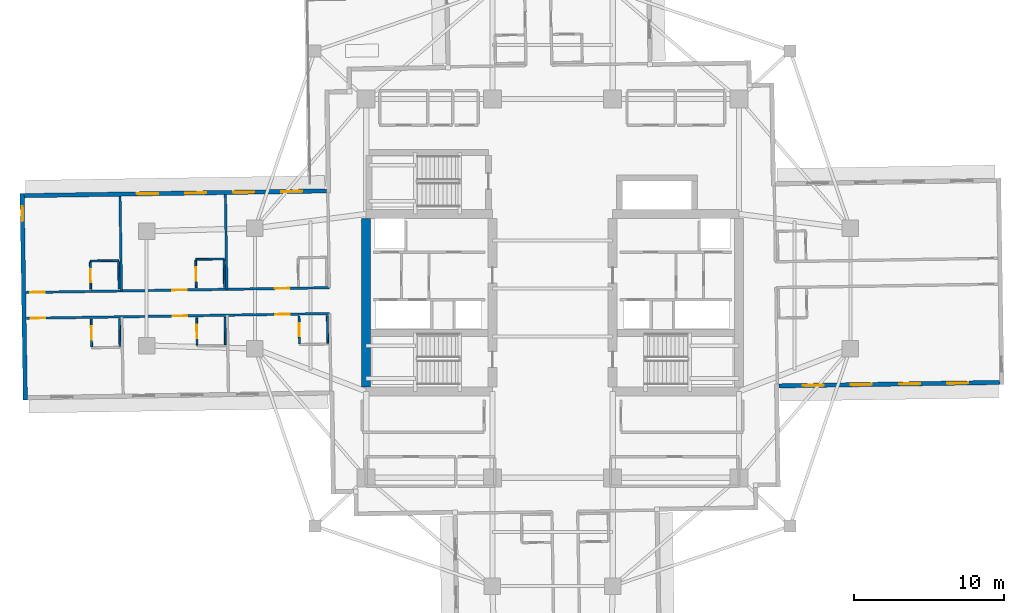
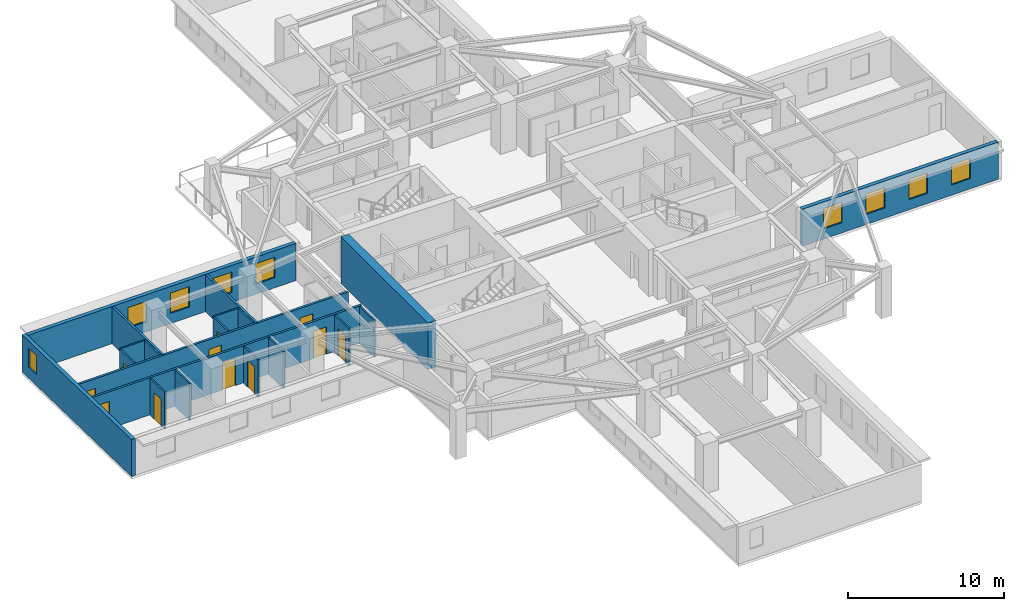
# One storey, part 4 of 13: 20 walls, 11 doors, 9 windows, 20 openings.
"""IFC4 building model written with IfcOpenShell, lengths in metres."""

from ifc_helpers import new_model, si_unit, direction, frame, frame_2d, origin, place, context, subcontext, project, spatial, rectangle, extrude, material, layer, layer_set, type_object, element, fill, save


model = new_model("IFC4")

# Units and contexts
model_context = context("Model", 3, precision=1e-05, world=origin(), true_north=direction((0.0, 1.0)))
body_context = subcontext(model_context, "Body", "Model", "MODEL_VIEW")
ifc_project = project(units=[si_unit("LENGTHUNIT", "METRE"), si_unit("AREAUNIT", "SQUARE_METRE"), si_unit("VOLUMEUNIT", "CUBIC_METRE"), si_unit("PLANEANGLEUNIT", "RADIAN"), si_unit("MASSUNIT", "GRAM", prefix="KILO")], contexts=[model_context])

# Site, building, storey
site_placement = place(None, origin())
site = spatial("IfcSite", under=ifc_project, at=site_placement, CompositionType="ELEMENT")
building_placement = place(site_placement, origin())
building = spatial("IfcBuilding", under=site, at=building_placement, Name="Qingluan Cross Belvedere", CompositionType="ELEMENT")
storey_placement = place(building_placement, frame((0.0, 0.0, 139.800048828125)))
storey = spatial("IfcBuildingStorey", under=building, at=storey_placement, Name="L35", CompositionType="ELEMENT", Elevation=139.800048828125)

# Wall
ifc_material_1 = material(Name="Concrete C60", Category="concrete")
ifc_layer_1 = layer(ifc_material_1, 0.60009765625, Name="CoreShearWall_600")
ifc_layer_set_1 = layer_set([ifc_layer_1], Name="Concrete C60")
wall_type_1 = type_object("IfcWallType", Name="CoreShearWall_600", PredefinedType="SHEAR", material=ifc_layer_set_1)
wall_1_placement = place(storey_placement, frame((-12.39990234375, -6.544921875, 0.0), z_axis=(0.0, 0.0, 1.0), x_axis=(0.0, 1.0, 0.0)))
element("IfcWall", 1, at=wall_1_placement, inside=storey, type_object=wall_type_1, Name="Split core W shear wall L35-W", PredefinedType="SHEAR", context=body_context, shape_type="SweptSolid", body=[
    extrude(rectangle(XDim=11.18994140625, YDim=0.60009765625, at=frame_2d((5.594970703125, 0.0))), origin(), (0.0, 0.0, 1.0), 3.64990234375),
])

# Wall, openings, doors
ifc_material_2 = material(Name="Gypsum plasterboard on steel stud acoustic partition", Category="steel")
ifc_layer_2 = layer(ifc_material_2, 0.159912109375, Name="CorridorPartition_160")
ifc_layer_set_2 = layer_set([ifc_layer_2], Name="Gypsum plasterboard on steel stud acoustic partition")
wall_type_2 = type_object("IfcWallType", Name="CorridorPartition_160", PredefinedType="PARTITIONING", material=ifc_layer_set_2)
wall_2_placement = place(storey_placement, frame((-14.8525390625, 0.046630859375, 0.0), z_axis=(0.0, 0.0, 1.0), x_axis=(-0.999876717676, -0.015701893165, 0.0)))
wall_2 = element("IfcWall", 2, at=wall_2_placement, inside=storey, type_object=wall_type_2, Name="Partition L35:W:c0", PredefinedType="PARTITIONING", context=body_context, shape_type="SweptSolid", body=[
    extrude(rectangle(XDim=20.181884765625, YDim=0.159912109375, at=frame_2d((10.0908203125, 0.0))), origin(), (0.0, 0.0, 1.0), 2.909912109375),
])
opening_1_placement = place(wall_2_placement, frame((2.660888671875, 0.0, 0.0)))
opening_1 = element("IfcOpeningElement", 3, at=opening_1_placement, cuts=wall_2, Name="Opening GD-10", PredefinedType="OPENING", context=body_context, shape_type="SweptSolid", body=[
    extrude(rectangle(XDim=0.9599609375, YDim=2.14990234375, at=frame_2d((0.47998046875, 1.074951171875))), frame((0.0, 0.08984375, 0.0), z_axis=(0.0, -1.0, 0.0), x_axis=(1.0, 0.0, 0.0)), (0.0, 0.0, 1.0), 0.179931640625),
])
opening_2_placement = place(wall_2_placement, frame((9.491943359375, 0.0, 0.0)))
opening_2 = element("IfcOpeningElement", 4, at=opening_2_placement, cuts=wall_2, Name="Opening GD-10", PredefinedType="OPENING", context=body_context, shape_type="SweptSolid", body=[
    extrude(rectangle(XDim=0.9599609375, YDim=2.14990234375, at=frame_2d((0.47998046875, 1.074951171875))), frame((0.0, 0.08984375, 0.0), z_axis=(0.0, -1.0, 0.0), x_axis=(1.0, 0.0, 0.0)), (0.0, 0.0, 1.0), 0.179931640625),
])
opening_3_placement = place(wall_2_placement, frame((18.929931640625, 0.0, 0.0)))
opening_3 = element("IfcOpeningElement", 5, at=opening_3_placement, cuts=wall_2, Name="Opening GD-10", PredefinedType="OPENING", context=body_context, shape_type="SweptSolid", body=[
    extrude(rectangle(XDim=0.9599609375, YDim=2.14990234375, at=frame_2d((0.47998046875, 1.074951171875))), frame((0.0, 0.08984375, 0.0), z_axis=(0.0, -1.0, 0.0), x_axis=(1.0, 0.0, 0.0)), (0.0, 0.0, 1.0), 0.179931640625),
])
ifc_material_3 = material(Name="Timber oak fire-rated acoustic guestroom door", Category="wood")
door_type_1 = type_object("IfcDoorType", Name="GuestEntryDoor_FD60", OperationType="NOTDEFINED", PredefinedType="DOOR", material=ifc_material_3)
door_1_placement = place(opening_1_placement, origin())
door_1 = element("IfcDoor", 6, at=door_1_placement, inside=storey, type_object=door_type_1, Name="Guest entry fire door 3503", OperationType="SINGLE_SWING_RIGHT", OverallHeight=2.14990234375, OverallWidth=0.9599609375, PredefinedType="DOOR", context=body_context, shape_type="SweptSolid", body=[
    extrude(rectangle(XDim=0.9599609375, YDim=2.14990234375, at=frame_2d((0.47998046875, 1.074951171875))), frame((0.0, 0.02490234375, 0.0), z_axis=(0.0, -1.0, 0.0), x_axis=(1.0, 0.0, 0.0)), (0.0, 0.0, 1.0), 0.050048828125),
])
fill(opening_1, door_1)
door_2_placement = place(opening_2_placement, origin())
door_2 = element("IfcDoor", 7, at=door_2_placement, inside=storey, type_object=door_type_1, Name="Guest entry fire door 3504", OperationType="SINGLE_SWING_RIGHT", OverallHeight=2.14990234375, OverallWidth=0.9599609375, PredefinedType="DOOR", context=body_context, shape_type="SweptSolid", body=[
    extrude(rectangle(XDim=0.9599609375, YDim=2.14990234375, at=frame_2d((0.47998046875, 1.074951171875))), frame((0.0, 0.02490234375, 0.0), z_axis=(0.0, -1.0, 0.0), x_axis=(1.0, 0.0, 0.0)), (0.0, 0.0, 1.0), 0.050048828125),
])
fill(opening_2, door_2)
door_3_placement = place(opening_3_placement, origin())
door_3 = element("IfcDoor", 8, at=door_3_placement, inside=storey, type_object=door_type_1, Name="Guest entry fire door 3505", OperationType="SINGLE_SWING_RIGHT", OverallHeight=2.14990234375, OverallWidth=0.9599609375, PredefinedType="DOOR", context=body_context, shape_type="SweptSolid", body=[
    extrude(rectangle(XDim=0.9599609375, YDim=2.14990234375, at=frame_2d((0.47998046875, 1.074951171875))), frame((0.0, 0.02490234375, 0.0), z_axis=(0.0, -1.0, 0.0), x_axis=(1.0, 0.0, 0.0)), (0.0, 0.0, 1.0), 0.050048828125),
])
fill(opening_3, door_3)

# Walls
for number, where, z_axis, x_axis, name in (
    (9, (-21.66259765625, -0.060302734375, 0.0), (0.0, 0.0, 1.0), (-0.015753409848, 0.99987590734, 0.0), "Partition L35:W:d0_0"),
    (10, (-28.6748046875, -0.17041015625, 0.0), (0.0, 0.0, 1.0), (-0.01571461794, 0.999876517768, 0.0), "Partition L35:W:d0_1"),
):
    element("IfcWall", number, at=place(storey_placement, frame(where, z_axis=z_axis, x_axis=x_axis)), inside=storey, type_object=wall_type_2, Name=name, PredefinedType="PARTITIONING", context=body_context, shape_type="SweptSolid", body=[
        extrude(rectangle(XDim=6.2919921875, YDim=0.159912109375, at=frame_2d((3.14599609375, 0.0))), origin(), (0.0, 0.0, 1.0), 2.909912109375),
    ])

# Wall, openings, doors
wall_3_placement = place(storey_placement, frame((-14.825439453125, -1.673095703125, 0.0), z_axis=(0.0, 0.0, 1.0), x_axis=(-0.999876717676, -0.015701893165, 0.0)))
wall_3 = element("IfcWall", 11, at=wall_3_placement, inside=storey, type_object=wall_type_2, Name="Partition L35:W:c1", PredefinedType="PARTITIONING", context=body_context, shape_type="SweptSolid", body=[
    extrude(rectangle(XDim=20.181884765625, YDim=0.159912109375, at=frame_2d((10.0908203125, 0.0))), origin(), (0.0, 0.0, 1.0), 2.909912109375),
])
opening_4_placement = place(wall_3_placement, frame((2.660888671875, 0.0, 0.0)))
opening_4 = element("IfcOpeningElement", 12, at=opening_4_placement, cuts=wall_3, Name="Opening GD-10", PredefinedType="OPENING", context=body_context, shape_type="SweptSolid", body=[
    extrude(rectangle(XDim=0.9599609375, YDim=2.14990234375, at=frame_2d((0.47998046875, 1.074951171875))), frame((0.0, 0.08984375, 0.0), z_axis=(0.0, -1.0, 0.0), x_axis=(1.0, 0.0, 0.0)), (0.0, 0.0, 1.0), 0.179931640625),
])
opening_5_placement = place(wall_3_placement, frame((9.491943359375, 0.0, 0.0)))
opening_5 = element("IfcOpeningElement", 13, at=opening_5_placement, cuts=wall_3, Name="Opening GD-10", PredefinedType="OPENING", context=body_context, shape_type="SweptSolid", body=[
    extrude(rectangle(XDim=0.9599609375, YDim=2.14990234375, at=frame_2d((0.47998046875, 1.074951171875))), frame((0.0, 0.08984375, 0.0), z_axis=(0.0, -1.0, 0.0), x_axis=(1.0, 0.0, 0.0)), (0.0, 0.0, 1.0), 0.179931640625),
])
opening_6_placement = place(wall_3_placement, frame((18.929931640625, 0.0, 0.0)))
opening_6 = element("IfcOpeningElement", 14, at=opening_6_placement, cuts=wall_3, Name="Opening GD-10", PredefinedType="OPENING", context=body_context, shape_type="SweptSolid", body=[
    extrude(rectangle(XDim=0.9599609375, YDim=2.14990234375, at=frame_2d((0.47998046875, 1.074951171875))), frame((0.0, 0.08984375, 0.0), z_axis=(0.0, -1.0, 0.0), x_axis=(1.0, 0.0, 0.0)), (0.0, 0.0, 1.0), 0.179931640625),
])
door_4_placement = place(opening_4_placement, origin())
door_4 = element("IfcDoor", 15, at=door_4_placement, inside=storey, type_object=door_type_1, Name="Guest entry fire door 3506", OperationType="SINGLE_SWING_RIGHT", OverallHeight=2.14990234375, OverallWidth=0.9599609375, PredefinedType="DOOR", context=body_context, shape_type="SweptSolid", body=[
    extrude(rectangle(XDim=0.9599609375, YDim=2.14990234375, at=frame_2d((0.47998046875, 1.074951171875))), frame((0.0, 0.02490234375, 0.0), z_axis=(0.0, -1.0, 0.0), x_axis=(1.0, 0.0, 0.0)), (0.0, 0.0, 1.0), 0.050048828125),
])
fill(opening_4, door_4)
door_5_placement = place(opening_5_placement, origin())
door_5 = element("IfcDoor", 16, at=door_5_placement, inside=storey, type_object=door_type_1, Name="Guest entry fire door 3507", OperationType="SINGLE_SWING_RIGHT", OverallHeight=2.14990234375, OverallWidth=0.9599609375, PredefinedType="DOOR", context=body_context, shape_type="SweptSolid", body=[
    extrude(rectangle(XDim=0.9599609375, YDim=2.14990234375, at=frame_2d((0.47998046875, 1.074951171875))), frame((0.0, 0.02490234375, 0.0), z_axis=(0.0, -1.0, 0.0), x_axis=(1.0, 0.0, 0.0)), (0.0, 0.0, 1.0), 0.050048828125),
])
fill(opening_5, door_5)
door_6_placement = place(opening_6_placement, origin())
door_6 = element("IfcDoor", 17, at=door_6_placement, inside=storey, type_object=door_type_1, Name="Guest entry fire door 3508", OperationType="SINGLE_SWING_RIGHT", OverallHeight=2.14990234375, OverallWidth=0.9599609375, PredefinedType="DOOR", context=body_context, shape_type="SweptSolid", body=[
    extrude(rectangle(XDim=0.9599609375, YDim=2.14990234375, at=frame_2d((0.47998046875, 1.074951171875))), frame((0.0, 0.02490234375, 0.0), z_axis=(0.0, -1.0, 0.0), x_axis=(1.0, 0.0, 0.0)), (0.0, 0.0, 1.0), 0.050048828125),
])
fill(opening_6, door_6)

# Wall, opening, door
ifc_material_4 = material(Name="Moisture-resistant gypsum board lining")
ifc_layer_3 = layer(ifc_material_4, 0.1201171875, Name="EnsuiteWetPartition_120")
ifc_layer_set_3 = layer_set([ifc_layer_3], Name="Moisture-resistant gypsum board lining")
wall_type_3 = type_object("IfcWallType", Name="EnsuiteWetPartition_120", PredefinedType="PARTITIONING", material=ifc_layer_set_3)
wall_4_placement = place(storey_placement, frame((-23.70458984375, 0.047607421875, 0.0), z_axis=(0.0, 0.0, 1.0), x_axis=(-0.015828443418, 0.999874722342, 0.0)))
wall_4 = element("IfcWall", 18, at=wall_4_placement, inside=storey, type_object=wall_type_3, Name="Partition L35:W:bs0_1", PredefinedType="PARTITIONING", context=body_context, shape_type="SweptSolid", body=[
    extrude(rectangle(XDim=1.820068359375, YDim=0.1201171875, at=frame_2d((0.91015625, 0.0))), origin(), (0.0, 0.0, 1.0), 2.909912109375),
])
opening_7_placement = place(wall_4_placement, frame((0.469970703125, 0.0, 0.0)))
opening_7 = element("IfcOpeningElement", 19, at=opening_7_placement, cuts=wall_4, Name="Opening BD-09", PredefinedType="OPENING", context=body_context, shape_type="SweptSolid", body=[
    extrude(rectangle(XDim=0.8798828125, YDim=2.10009765625, at=frame_2d((0.43994140625, 1.050048828125))), frame((0.0, 0.070068359375, 0.0), z_axis=(0.0, -1.0, 0.0), x_axis=(1.0, 0.0, 0.0)), (0.0, 0.0, 1.0), 0.14013671875),
])
ifc_material_5 = material(Name="Moisture-sealed timber en-suite door", Category="wood")
door_type_2 = type_object("IfcDoorType", Name="BathroomDoor_880", OperationType="NOTDEFINED", PredefinedType="DOOR", material=ifc_material_5)
door_7_placement = place(opening_7_placement, origin())
door_7 = element("IfcDoor", 20, at=door_7_placement, inside=storey, type_object=door_type_2, Name="Bathroom door 3504", OperationType="SINGLE_SWING_LEFT", OverallHeight=2.10009765625, OverallWidth=0.8798828125, PredefinedType="DOOR", context=body_context, shape_type="SweptSolid", body=[
    extrude(rectangle(XDim=0.8798828125, YDim=2.10009765625, at=frame_2d((0.43994140625, 1.050048828125))), frame((0.0, 0.02490234375, 0.0), z_axis=(0.0, -1.0, 0.0), x_axis=(1.0, 0.0, 0.0)), (0.0, 0.0, 1.0), 0.050048828125),
])
fill(opening_7, door_7)

# Walls
wall_5_placement = place(storey_placement, frame((-21.824951171875, 0.0771484375, 0.0), z_axis=(0.0, 0.0, 1.0), x_axis=(-0.015694337248, 0.999876836305, 0.0)))
element("IfcWall", 21, at=wall_5_placement, inside=storey, type_object=wall_type_3, Name="Partition L35:W:bw0_1", PredefinedType="PARTITIONING", context=body_context, shape_type="SweptSolid", body=[
    extrude(rectangle(XDim=1.820068359375, YDim=0.1201171875, at=frame_2d((0.91015625, 0.0))), origin(), (0.0, 0.0, 1.0), 2.909912109375),
])
wall_6_placement = place(storey_placement, frame((-21.8544921875, 1.9619140625, 0.0), z_axis=(0.0, 0.0, 1.0), x_axis=(-0.999876553475, -0.01571234584, 0.0)))
element("IfcWall", 22, at=wall_6_placement, inside=storey, type_object=wall_type_3, Name="Partition L35:W:bn0_1", PredefinedType="PARTITIONING", context=body_context, shape_type="SweptSolid", body=[
    extrude(rectangle(XDim=1.880126953125, YDim=0.1201171875, at=frame_2d((0.93994140625, 0.0))), origin(), (0.0, 0.0, 1.0), 2.909912109375),
])

# Wall, opening, door
wall_7_placement = place(storey_placement, frame((-30.716796875, -0.0625, 0.0), z_axis=(0.0, 0.0, 1.0), x_axis=(-0.015694337248, 0.999876836305, 0.0)))
wall_7 = element("IfcWall", 23, at=wall_7_placement, inside=storey, type_object=wall_type_3, Name="Partition L35:W:bs0_2", PredefinedType="PARTITIONING", context=body_context, shape_type="SweptSolid", body=[
    extrude(rectangle(XDim=1.820068359375, YDim=0.1201171875, at=frame_2d((0.91015625, 0.0))), origin(), (0.0, 0.0, 1.0), 2.909912109375),
])
opening_8_placement = place(wall_7_placement, frame((0.469970703125, 0.0, 0.0)))
opening_8 = element("IfcOpeningElement", 24, at=opening_8_placement, cuts=wall_7, Name="Opening BD-09", PredefinedType="OPENING", context=body_context, shape_type="SweptSolid", body=[
    extrude(rectangle(XDim=0.8798828125, YDim=2.10009765625, at=frame_2d((0.43994140625, 1.050048828125))), frame((0.0, 0.070068359375, 0.0), z_axis=(0.0, -1.0, 0.0), x_axis=(1.0, 0.0, 0.0)), (0.0, 0.0, 1.0), 0.14013671875),
])
door_8_placement = place(opening_8_placement, origin())
door_8 = element("IfcDoor", 25, at=door_8_placement, inside=storey, type_object=door_type_2, Name="Bathroom door 3505", OperationType="SINGLE_SWING_LEFT", OverallHeight=2.10009765625, OverallWidth=0.8798828125, PredefinedType="DOOR", context=body_context, shape_type="SweptSolid", body=[
    extrude(rectangle(XDim=0.8798828125, YDim=2.10009765625, at=frame_2d((0.43994140625, 1.050048828125))), frame((0.0, 0.02490234375, 0.0), z_axis=(0.0, -1.0, 0.0), x_axis=(1.0, 0.0, 0.0)), (0.0, 0.0, 1.0), 0.050048828125),
])
fill(opening_8, door_8)

# Walls
wall_8_placement = place(storey_placement, frame((-28.8369140625, -0.032958984375, 0.0), z_axis=(0.0, 0.0, 1.0), x_axis=(-0.015694337248, 0.999876836305, 0.0)))
element("IfcWall", 26, at=wall_8_placement, inside=storey, type_object=wall_type_3, Name="Partition L35:W:bw0_2", PredefinedType="PARTITIONING", context=body_context, shape_type="SweptSolid", body=[
    extrude(rectangle(XDim=1.820068359375, YDim=0.1201171875, at=frame_2d((0.91015625, 0.0))), origin(), (0.0, 0.0, 1.0), 2.909912109375),
])
wall_9_placement = place(storey_placement, frame((-28.86669921875, 1.851806640625, 0.0), z_axis=(0.0, 0.0, 1.0), x_axis=(-0.99987652141, -0.015714386166, 0.0)))
element("IfcWall", 27, at=wall_9_placement, inside=storey, type_object=wall_type_3, Name="Partition L35:W:bn0_2", PredefinedType="PARTITIONING", context=body_context, shape_type="SweptSolid", body=[
    extrude(rectangle(XDim=1.8798828125, YDim=0.1201171875, at=frame_2d((0.93994140625, 0.0))), origin(), (0.0, 0.0, 1.0), 2.909912109375),
])

# Wall, opening, door
wall_10_placement = place(storey_placement, frame((-16.83447265625, -3.664794921875, 0.0), z_axis=(0.0, 0.0, 1.0), x_axis=(-0.015696442504, 0.999876803258, 0.0)))
wall_10 = element("IfcWall", 28, at=wall_10_placement, inside=storey, type_object=wall_type_3, Name="Partition L35:W:bs1_0", PredefinedType="PARTITIONING", context=body_context, shape_type="SweptSolid", body=[
    extrude(rectangle(XDim=1.81982421875, YDim=0.1201171875, at=frame_2d((0.909912109375, 0.0))), origin(), (0.0, 0.0, 1.0), 2.909912109375),
])
opening_9_placement = place(wall_10_placement, frame((0.469970703125, 0.0, 0.0)))
opening_9 = element("IfcOpeningElement", 29, at=opening_9_placement, cuts=wall_10, Name="Opening BD-09", PredefinedType="OPENING", context=body_context, shape_type="SweptSolid", body=[
    extrude(rectangle(XDim=0.8798828125, YDim=2.10009765625, at=frame_2d((0.43994140625, 1.050048828125))), frame((0.0, 0.070068359375, 0.0), z_axis=(0.0, -1.0, 0.0), x_axis=(1.0, 0.0, 0.0)), (0.0, 0.0, 1.0), 0.14013671875),
])
door_9_placement = place(opening_9_placement, origin())
door_9 = element("IfcDoor", 30, at=door_9_placement, inside=storey, type_object=door_type_2, Name="Bathroom door 3506", OperationType="SINGLE_SWING_LEFT", OverallHeight=2.10009765625, OverallWidth=0.8798828125, PredefinedType="DOOR", context=body_context, shape_type="SweptSolid", body=[
    extrude(rectangle(XDim=0.8798828125, YDim=2.10009765625, at=frame_2d((0.43994140625, 1.050048828125))), frame((0.0, 0.02490234375, 0.0), z_axis=(0.0, -1.0, 0.0), x_axis=(1.0, 0.0, 0.0)), (0.0, 0.0, 1.0), 0.050048828125),
])
fill(opening_9, door_9)

# Wall
wall_11_placement = place(storey_placement, frame((-14.95458984375, -3.63525390625, 0.0), z_axis=(0.0, 0.0, 1.0), x_axis=(-0.015830566654, 0.999874688728, 0.0)))
element("IfcWall", 31, at=wall_11_placement, inside=storey, type_object=wall_type_3, Name="Partition L35:W:bw1_0", PredefinedType="PARTITIONING", context=body_context, shape_type="SweptSolid", body=[
    extrude(rectangle(XDim=1.81982421875, YDim=0.1201171875, at=frame_2d((0.909912109375, 0.0))), origin(), (0.0, 0.0, 1.0), 2.909912109375),
])

# Wall, opening, door
wall_12_placement = place(storey_placement, frame((-23.644775390625, -3.77197265625, 0.0), z_axis=(0.0, 0.0, 1.0), x_axis=(-0.015694337248, 0.999876836305, 0.0)))
wall_12 = element("IfcWall", 32, at=wall_12_placement, inside=storey, type_object=wall_type_3, Name="Partition L35:W:bs1_1", PredefinedType="PARTITIONING", context=body_context, shape_type="SweptSolid", body=[
    extrude(rectangle(XDim=1.820068359375, YDim=0.1201171875, at=frame_2d((0.91015625, 0.0))), origin(), (0.0, 0.0, 1.0), 2.909912109375),
])
opening_10_placement = place(wall_12_placement, frame((0.469970703125, 0.0, 0.0)))
opening_10 = element("IfcOpeningElement", 33, at=opening_10_placement, cuts=wall_12, Name="Opening BD-09", PredefinedType="OPENING", context=body_context, shape_type="SweptSolid", body=[
    extrude(rectangle(XDim=0.8798828125, YDim=2.10009765625, at=frame_2d((0.43994140625, 1.050048828125))), frame((0.0, 0.070068359375, 0.0), z_axis=(0.0, -1.0, 0.0), x_axis=(1.0, 0.0, 0.0)), (0.0, 0.0, 1.0), 0.14013671875),
])
door_10_placement = place(opening_10_placement, origin())
door_10 = element("IfcDoor", 34, at=door_10_placement, inside=storey, type_object=door_type_2, Name="Bathroom door 3507", OperationType="SINGLE_SWING_LEFT", OverallHeight=2.10009765625, OverallWidth=0.8798828125, PredefinedType="DOOR", context=body_context, shape_type="SweptSolid", body=[
    extrude(rectangle(XDim=0.8798828125, YDim=2.10009765625, at=frame_2d((0.43994140625, 1.050048828125))), frame((0.0, 0.02490234375, 0.0), z_axis=(0.0, -1.0, 0.0), x_axis=(1.0, 0.0, 0.0)), (0.0, 0.0, 1.0), 0.050048828125),
])
fill(opening_10, door_10)

# Wall
wall_13_placement = place(storey_placement, frame((-21.764892578125, -3.7421875, 0.0), z_axis=(0.0, 0.0, 1.0), x_axis=(-0.015696442504, 0.999876803258, 0.0)))
element("IfcWall", 35, at=wall_13_placement, inside=storey, type_object=wall_type_3, Name="Partition L35:W:bw1_1", PredefinedType="PARTITIONING", context=body_context, shape_type="SweptSolid", body=[
    extrude(rectangle(XDim=1.81982421875, YDim=0.1201171875, at=frame_2d((0.909912109375, 0.0))), origin(), (0.0, 0.0, 1.0), 2.909912109375),
])

# Wall, opening, door
wall_14_placement = place(storey_placement, frame((-30.65673828125, -3.882080078125, 0.0), z_axis=(0.0, 0.0, 1.0), x_axis=(-0.015694337248, 0.999876836305, 0.0)))
wall_14 = element("IfcWall", 36, at=wall_14_placement, inside=storey, type_object=wall_type_3, Name="Partition L35:W:bs1_2", PredefinedType="PARTITIONING", context=body_context, shape_type="SweptSolid", body=[
    extrude(rectangle(XDim=1.820068359375, YDim=0.1201171875, at=frame_2d((0.91015625, 0.0))), origin(), (0.0, 0.0, 1.0), 2.909912109375),
])
opening_11_placement = place(wall_14_placement, frame((0.469970703125, 0.0, 0.0)))
opening_11 = element("IfcOpeningElement", 37, at=opening_11_placement, cuts=wall_14, Name="Opening BD-09", PredefinedType="OPENING", context=body_context, shape_type="SweptSolid", body=[
    extrude(rectangle(XDim=0.8798828125, YDim=2.10009765625, at=frame_2d((0.43994140625, 1.050048828125))), frame((0.0, 0.070068359375, 0.0), z_axis=(0.0, -1.0, 0.0), x_axis=(1.0, 0.0, 0.0)), (0.0, 0.0, 1.0), 0.14013671875),
])
door_11_placement = place(opening_11_placement, origin())
door_11 = element("IfcDoor", 38, at=door_11_placement, inside=storey, type_object=door_type_2, Name="Bathroom door 3508", OperationType="SINGLE_SWING_LEFT", OverallHeight=2.10009765625, OverallWidth=0.8798828125, PredefinedType="DOOR", context=body_context, shape_type="SweptSolid", body=[
    extrude(rectangle(XDim=0.8798828125, YDim=2.10009765625, at=frame_2d((0.43994140625, 1.050048828125))), frame((0.0, 0.02490234375, 0.0), z_axis=(0.0, -1.0, 0.0), x_axis=(1.0, 0.0, 0.0)), (0.0, 0.0, 1.0), 0.050048828125),
])
fill(opening_11, door_11)

# Wall
wall_15_placement = place(storey_placement, frame((-28.777099609375, -3.8525390625, 0.0), z_axis=(0.0, 0.0, 1.0), x_axis=(-0.015694337248, 0.999876836305, 0.0)))
element("IfcWall", 39, at=wall_15_placement, inside=storey, type_object=wall_type_3, Name="Partition L35:W:bw1_2", PredefinedType="PARTITIONING", context=body_context, shape_type="SweptSolid", body=[
    extrude(rectangle(XDim=1.820068359375, YDim=0.1201171875, at=frame_2d((0.91015625, 0.0))), origin(), (0.0, 0.0, 1.0), 2.909912109375),
])

# Wall, openings, windows
ifc_material_6 = material(Name="Precast concrete C45", Category="concrete")
ifc_layer_4 = layer(ifc_material_6, 0.280029296875, Name="PrecastFacadeWall_280")
ifc_layer_set_4 = layer_set([ifc_layer_4], Name="Precast concrete C45")
wall_type_4 = type_object("IfcWallType", Name="PrecastFacadeWall_280", PredefinedType="STANDARD", material=ifc_layer_set_4)
wall_16_placement = place(storey_placement, frame((15.043701171875, -6.484619140625, 0.0), z_axis=(0.0, 0.0, 1.0), x_axis=(0.999876569875, 0.015711302158, 0.0)))
wall_16 = element("IfcWall", 40, at=wall_16_placement, inside=storey, type_object=wall_type_4, Name="Facade wall L35-EA", PredefinedType="STANDARD", context=body_context, shape_type="SweptSolid", body=[
    extrude(rectangle(XDim=14.699951171875, YDim=0.280029296875, at=frame_2d((7.35009765625, 0.0))), origin(), (0.0, 0.0, 1.0), 2.919921875),
])
opening_12_placement = place(wall_16_placement, frame((1.60009765625, 0.0, 0.800048828125)))
opening_12 = element("IfcOpeningElement", 41, at=opening_12_placement, cuts=wall_16, Name="Opening W-01", PredefinedType="OPENING", context=body_context, shape_type="SweptSolid", body=[
    extrude(rectangle(XDim=1.39990234375, YDim=1.60009765625, at=frame_2d((0.699951171875, 0.800048828125))), frame((0.0, 0.14990234375, 0.0), z_axis=(0.0, -1.0, 0.0), x_axis=(1.0, 0.0, 0.0)), (0.0, 0.0, 1.0), 0.300048828125),
])
opening_13_placement = place(wall_16_placement, frame((4.800048828125, 0.0, 0.800048828125)))
opening_13 = element("IfcOpeningElement", 42, at=opening_13_placement, cuts=wall_16, Name="Opening W-01", PredefinedType="OPENING", context=body_context, shape_type="SweptSolid", body=[
    extrude(rectangle(XDim=1.39990234375, YDim=1.60009765625, at=frame_2d((0.699951171875, 0.800048828125))), frame((0.0, 0.14990234375, 0.0), z_axis=(0.0, -1.0, 0.0), x_axis=(1.0, 0.0, 0.0)), (0.0, 0.0, 1.0), 0.300048828125),
])
opening_14_placement = place(wall_16_placement, frame((8.0, 0.0, 0.800048828125)))
opening_14 = element("IfcOpeningElement", 43, at=opening_14_placement, cuts=wall_16, Name="Opening W-01", PredefinedType="OPENING", context=body_context, shape_type="SweptSolid", body=[
    extrude(rectangle(XDim=1.39990234375, YDim=1.60009765625, at=frame_2d((0.699951171875, 0.800048828125))), frame((0.0, 0.14990234375, 0.0), z_axis=(0.0, -1.0, 0.0), x_axis=(1.0, 0.0, 0.0)), (0.0, 0.0, 1.0), 0.300048828125),
])
opening_15_placement = place(wall_16_placement, frame((11.199951171875, 0.0, 0.800048828125)))
opening_15 = element("IfcOpeningElement", 44, at=opening_15_placement, cuts=wall_16, Name="Opening W-01", PredefinedType="OPENING", context=body_context, shape_type="SweptSolid", body=[
    extrude(rectangle(XDim=1.39990234375, YDim=1.60009765625, at=frame_2d((0.699951171875, 0.800048828125))), frame((0.0, 0.14990234375, 0.0), z_axis=(0.0, -1.0, 0.0), x_axis=(1.0, 0.0, 0.0)), (0.0, 0.0, 1.0), 0.300048828125),
])
ifc_material_7 = material(Name="Thermally broken triple Low-E glass in aluminium frame", Category="aluminium")
window_type_1 = type_object("IfcWindowType", Name="TriRibbonWin_1400x1600", PartitioningType="SINGLE_PANEL", PredefinedType="WINDOW", material=ifc_material_7)
window_1_placement = place(opening_12_placement, origin())
window_1 = element("IfcWindow", 45, at=window_1_placement, inside=storey, type_object=window_type_1, Name="Ribbon window L35-EA-1", OverallHeight=1.60009765625, OverallWidth=1.39990234375, PartitioningType="SINGLE_PANEL", PredefinedType="WINDOW", context=body_context, shape_type="SweptSolid", body=[
    extrude(rectangle(XDim=1.39990234375, YDim=1.60009765625, at=frame_2d((0.699951171875, 0.800048828125))), frame((0.0, 0.030029296875, 0.0), z_axis=(0.0, -1.0, 0.0), x_axis=(1.0, 0.0, 0.0)), (0.0, 0.0, 1.0), 0.06005859375),
])
fill(opening_12, window_1)
window_2_placement = place(opening_13_placement, origin())
window_2 = element("IfcWindow", 46, at=window_2_placement, inside=storey, type_object=window_type_1, Name="Ribbon window L35-EA-2", OverallHeight=1.60009765625, OverallWidth=1.39990234375, PartitioningType="SINGLE_PANEL", PredefinedType="WINDOW", context=body_context, shape_type="SweptSolid", body=[
    extrude(rectangle(XDim=1.39990234375, YDim=1.60009765625, at=frame_2d((0.699951171875, 0.800048828125))), frame((0.0, 0.030029296875, 0.0), z_axis=(0.0, -1.0, 0.0), x_axis=(1.0, 0.0, 0.0)), (0.0, 0.0, 1.0), 0.06005859375),
])
fill(opening_13, window_2)
window_3_placement = place(opening_14_placement, origin())
window_3 = element("IfcWindow", 47, at=window_3_placement, inside=storey, type_object=window_type_1, Name="Ribbon window L35-EA-3", OverallHeight=1.60009765625, OverallWidth=1.39990234375, PartitioningType="SINGLE_PANEL", PredefinedType="WINDOW", context=body_context, shape_type="SweptSolid", body=[
    extrude(rectangle(XDim=1.39990234375, YDim=1.60009765625, at=frame_2d((0.699951171875, 0.800048828125))), frame((0.0, 0.030029296875, 0.0), z_axis=(0.0, -1.0, 0.0), x_axis=(1.0, 0.0, 0.0)), (0.0, 0.0, 1.0), 0.06005859375),
])
fill(opening_14, window_3)
window_4_placement = place(opening_15_placement, origin())
window_4 = element("IfcWindow", 48, at=window_4_placement, inside=storey, type_object=window_type_1, Name="Ribbon window L35-EA-4", OverallHeight=1.60009765625, OverallWidth=1.39990234375, PartitioningType="SINGLE_PANEL", PredefinedType="WINDOW", context=body_context, shape_type="SweptSolid", body=[
    extrude(rectangle(XDim=1.39990234375, YDim=1.60009765625, at=frame_2d((0.699951171875, 0.800048828125))), frame((0.0, 0.030029296875, 0.0), z_axis=(0.0, -1.0, 0.0), x_axis=(1.0, 0.0, 0.0)), (0.0, 0.0, 1.0), 0.06005859375),
])
fill(opening_15, window_4)

wall_17_placement = place(storey_placement, frame((-15.043701171875, 6.484619140625, 0.0), z_axis=(0.0, 0.0, 1.0), x_axis=(-0.999876474133, -0.01571739401, 0.0)))
wall_17 = element("IfcWall", 49, at=wall_17_placement, inside=storey, type_object=wall_type_4, Name="Facade wall L35-WA", PredefinedType="STANDARD", context=body_context, shape_type="SweptSolid", body=[
    extrude(rectangle(XDim=20.099853515625, YDim=0.280029296875, at=frame_2d((10.0498046875, 0.0))), origin(), (0.0, 0.0, 1.0), 2.919921875),
])
opening_16_placement = place(wall_17_placement, frame((1.60009765625, 0.0, 0.800048828125)))
opening_16 = element("IfcOpeningElement", 50, at=opening_16_placement, cuts=wall_17, Name="Opening W-01", PredefinedType="OPENING", context=body_context, shape_type="SweptSolid", body=[
    extrude(rectangle(XDim=1.39990234375, YDim=1.60009765625, at=frame_2d((0.699951171875, 0.800048828125))), frame((0.0, 0.14990234375, 0.0), z_axis=(0.0, -1.0, 0.0), x_axis=(1.0, 0.0, 0.0)), (0.0, 0.0, 1.0), 0.300048828125),
])
opening_17_placement = place(wall_17_placement, frame((4.800048828125, 0.0, 0.800048828125)))
opening_17 = element("IfcOpeningElement", 51, at=opening_17_placement, cuts=wall_17, Name="Opening W-01", PredefinedType="OPENING", context=body_context, shape_type="SweptSolid", body=[
    extrude(rectangle(XDim=1.39990234375, YDim=1.60009765625, at=frame_2d((0.699951171875, 0.800048828125))), frame((0.0, 0.14990234375, 0.0), z_axis=(0.0, -1.0, 0.0), x_axis=(1.0, 0.0, 0.0)), (0.0, 0.0, 1.0), 0.300048828125),
])
opening_18_placement = place(wall_17_placement, frame((8.0, 0.0, 0.800048828125)))
opening_18 = element("IfcOpeningElement", 52, at=opening_18_placement, cuts=wall_17, Name="Opening W-01", PredefinedType="OPENING", context=body_context, shape_type="SweptSolid", body=[
    extrude(rectangle(XDim=1.39990234375, YDim=1.60009765625, at=frame_2d((0.699951171875, 0.800048828125))), frame((0.0, 0.14990234375, 0.0), z_axis=(0.0, -1.0, 0.0), x_axis=(1.0, 0.0, 0.0)), (0.0, 0.0, 1.0), 0.300048828125),
])
opening_19_placement = place(wall_17_placement, frame((11.199951171875, 0.0, 0.800048828125)))
opening_19 = element("IfcOpeningElement", 53, at=opening_19_placement, cuts=wall_17, Name="Opening W-01", PredefinedType="OPENING", context=body_context, shape_type="SweptSolid", body=[
    extrude(rectangle(XDim=1.39990234375, YDim=1.60009765625, at=frame_2d((0.699951171875, 0.800048828125))), frame((0.0, 0.14990234375, 0.0), z_axis=(0.0, -1.0, 0.0), x_axis=(1.0, 0.0, 0.0)), (0.0, 0.0, 1.0), 0.300048828125),
])
window_5_placement = place(opening_16_placement, origin())
window_5 = element("IfcWindow", 54, at=window_5_placement, inside=storey, type_object=window_type_1, Name="Ribbon window L35-WA-1", OverallHeight=1.60009765625, OverallWidth=1.39990234375, PartitioningType="SINGLE_PANEL", PredefinedType="WINDOW", context=body_context, shape_type="SweptSolid", body=[
    extrude(rectangle(XDim=1.39990234375, YDim=1.60009765625, at=frame_2d((0.699951171875, 0.800048828125))), frame((0.0, 0.030029296875, 0.0), z_axis=(0.0, -1.0, 0.0), x_axis=(1.0, 0.0, 0.0)), (0.0, 0.0, 1.0), 0.06005859375),
])
fill(opening_16, window_5)
window_6_placement = place(opening_17_placement, origin())
window_6 = element("IfcWindow", 55, at=window_6_placement, inside=storey, type_object=window_type_1, Name="Ribbon window L35-WA-2", OverallHeight=1.60009765625, OverallWidth=1.39990234375, PartitioningType="SINGLE_PANEL", PredefinedType="WINDOW", context=body_context, shape_type="SweptSolid", body=[
    extrude(rectangle(XDim=1.39990234375, YDim=1.60009765625, at=frame_2d((0.699951171875, 0.800048828125))), frame((0.0, 0.030029296875, 0.0), z_axis=(0.0, -1.0, 0.0), x_axis=(1.0, 0.0, 0.0)), (0.0, 0.0, 1.0), 0.06005859375),
])
fill(opening_17, window_6)
window_7_placement = place(opening_18_placement, origin())
window_7 = element("IfcWindow", 56, at=window_7_placement, inside=storey, type_object=window_type_1, Name="Ribbon window L35-WA-3", OverallHeight=1.60009765625, OverallWidth=1.39990234375, PartitioningType="SINGLE_PANEL", PredefinedType="WINDOW", context=body_context, shape_type="SweptSolid", body=[
    extrude(rectangle(XDim=1.39990234375, YDim=1.60009765625, at=frame_2d((0.699951171875, 0.800048828125))), frame((0.0, 0.030029296875, 0.0), z_axis=(0.0, -1.0, 0.0), x_axis=(1.0, 0.0, 0.0)), (0.0, 0.0, 1.0), 0.06005859375),
])
fill(opening_18, window_7)
window_8_placement = place(opening_19_placement, origin())
window_8 = element("IfcWindow", 57, at=window_8_placement, inside=storey, type_object=window_type_1, Name="Ribbon window L35-WA-4", OverallHeight=1.60009765625, OverallWidth=1.39990234375, PartitioningType="SINGLE_PANEL", PredefinedType="WINDOW", context=body_context, shape_type="SweptSolid", body=[
    extrude(rectangle(XDim=1.39990234375, YDim=1.60009765625, at=frame_2d((0.699951171875, 0.800048828125))), frame((0.0, 0.030029296875, 0.0), z_axis=(0.0, -1.0, 0.0), x_axis=(1.0, 0.0, 0.0)), (0.0, 0.0, 1.0), 0.06005859375),
])
fill(opening_19, window_8)

# Wall, opening, window
wall_18_placement = place(storey_placement, frame((-35.283447265625, 6.306640625, 0.0), z_axis=(0.0, 0.0, 1.0), x_axis=(0.015712599986, -0.999876549481, 0.0)))
wall_18 = element("IfcWall", 58, at=wall_18_placement, inside=storey, type_object=wall_type_4, Name="Arm tip precast facade wall L35-W", PredefinedType="STANDARD", context=body_context, shape_type="SweptSolid", body=[
    extrude(rectangle(XDim=13.719970703125, YDim=0.280029296875, at=frame_2d((6.85986328125, 0.0))), origin(), (0.0, 0.0, 1.0), 2.919921875),
])
opening_20_placement = place(wall_18_placement, frame((0.85009765625, 0.0, 0.85009765625)))
opening_20 = element("IfcOpeningElement", 59, at=opening_20_placement, cuts=wall_18, Name="Opening W-03", PredefinedType="OPENING", context=body_context, shape_type="SweptSolid", body=[
    extrude(rectangle(XDim=1.0, YDim=1.5, at=frame_2d((0.5, 0.75))), frame((0.0, 0.14990234375, 0.0), z_axis=(0.0, -1.0, 0.0), x_axis=(1.0, 0.0, 0.0)), (0.0, 0.0, 1.0), 0.300048828125),
])
ifc_material_8 = material(Name="Thermally broken triple Low-E glass in aluminium frame", Category="aluminium")
window_type_2 = type_object("IfcWindowType", Name="TriApexWin_1000x1500", PartitioningType="SINGLE_PANEL", PredefinedType="WINDOW", material=ifc_material_8)
window_9_placement = place(opening_20_placement, origin())
window_9 = element("IfcWindow", 60, at=window_9_placement, inside=storey, type_object=window_type_2, Name="Arm tip triangular window L35-W", OverallHeight=1.5, OverallWidth=1.0, PartitioningType="SINGLE_PANEL", PredefinedType="WINDOW", context=body_context, shape_type="SweptSolid", body=[
    extrude(rectangle(XDim=1.0, YDim=1.5, at=frame_2d((0.5, 0.75))), frame((0.0, 0.030029296875, 0.0), z_axis=(0.0, -1.0, 0.0), x_axis=(1.0, 0.0, 0.0)), (0.0, 0.0, 1.0), 0.06005859375),
])
fill(opening_20, window_9)

save(model, "model.ifc")
